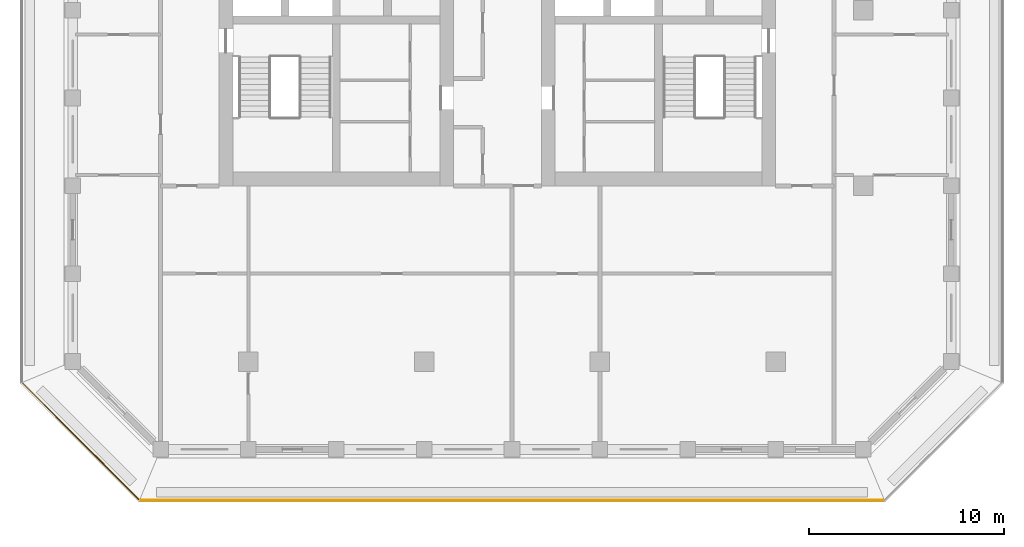
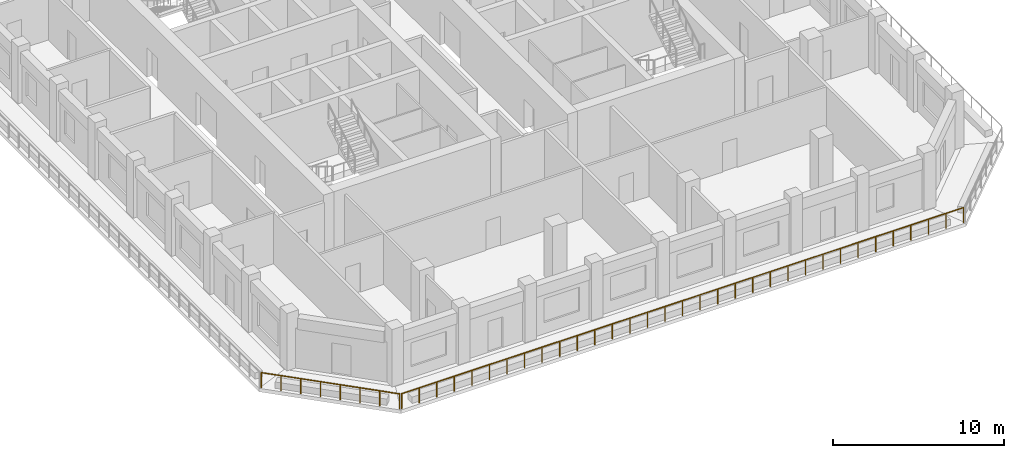
# One storey, part 9 of 17: 2 railings.
"""IFC4 building model written with IfcOpenShell, lengths in metres."""

from ifc_helpers import new_model, si_unit, direction, frame, origin, origin_2d, place, context, subcontext, project, spatial, circle, extrude, material, type_object, element, save


model = new_model("IFC4")

# Units and contexts
model_context = context("Model", 3, precision=1e-05, world=origin(), true_north=direction((0.0, 1.0)))
body_context = subcontext(model_context, "Body", "Model", "MODEL_VIEW")
ifc_project = project(units=[si_unit("LENGTHUNIT", "METRE"), si_unit("AREAUNIT", "SQUARE_METRE"), si_unit("VOLUMEUNIT", "CUBIC_METRE"), si_unit("PLANEANGLEUNIT", "RADIAN"), si_unit("MASSUNIT", "GRAM", prefix="KILO")], contexts=[model_context])

# Site, building, storey
site_placement = place(None, origin())
site = spatial("IfcSite", under=ifc_project, at=site_placement, CompositionType="ELEMENT")
building_placement = place(site_placement, origin())
building = spatial("IfcBuilding", under=site, at=building_placement, Name="Corbel Stack Research Tower", CompositionType="ELEMENT")
storey_placement = place(building_placement, frame((0.0, 0.0, 243.89990234375)))
storey = spatial("IfcBuildingStorey", under=building, at=storey_placement, Name="L55", CompositionType="ELEMENT", Elevation=243.89990234375)

# Railings
ifc_material = material(Name="Powder-coated steel guard", Category="steel")
railing_type = type_object("IfcRailingType", Name="Steel and glass guard 1100", PredefinedType="GUARDRAIL", material=ifc_material)
railing_1_placement = place(storey_placement, frame((-14.50537109375, -25.10009765625, 0.0)))
element("IfcRailing", 1, at=railing_1_placement, inside=storey, type_object=railing_type, Name="Loggia guard L55 S", PredefinedType="GUARDRAIL", context=body_context, shape_type="SweptSolid", body=[
    extrude(circle(Radius=0.02392578125, at=origin_2d()), frame((0.0, 0.0, 1.076171875), z_axis=(1.0, 0.0, 0.0), x_axis=(0.0, 1.0, 0.0)), (0.0, 0.0, 1.0), 38.0107421875),
    extrude(circle(Radius=0.02099609375, at=origin_2d()), origin(), (0.0, 0.0, 1.0), 1.052001953125),
    extrude(circle(Radius=0.02099609375, at=origin_2d()), frame((1.187744140625, 0.0, 0.0)), (0.0, 0.0, 1.0), 1.052001953125),
    extrude(circle(Radius=0.02099609375, at=origin_2d()), frame((2.375732421875, 0.0, 0.0)), (0.0, 0.0, 1.0), 1.052001953125),
    extrude(circle(Radius=0.02099609375, at=origin_2d()), frame((3.5634765625, 0.0, 0.0)), (0.0, 0.0, 1.0), 1.052001953125),
    extrude(circle(Radius=0.02099609375, at=origin_2d()), frame((4.75146484375, 0.0, 0.0)), (0.0, 0.0, 1.0), 1.052001953125),
    extrude(circle(Radius=0.02099609375, at=origin_2d()), frame((5.939208984375, 0.0, 0.0)), (0.0, 0.0, 1.0), 1.052001953125),
    extrude(circle(Radius=0.02099609375, at=origin_2d()), frame((7.126953125, 0.0, 0.0)), (0.0, 0.0, 1.0), 1.052001953125),
    extrude(circle(Radius=0.02099609375, at=origin_2d()), frame((8.31494140625, 0.0, 0.0)), (0.0, 0.0, 1.0), 1.052001953125),
    extrude(circle(Radius=0.02099609375, at=origin_2d()), frame((9.502685546875, 0.0, 0.0)), (0.0, 0.0, 1.0), 1.052001953125),
    extrude(circle(Radius=0.02099609375, at=origin_2d()), frame((10.6904296875, 0.0, 0.0)), (0.0, 0.0, 1.0), 1.052001953125),
    extrude(circle(Radius=0.02099609375, at=origin_2d()), frame((11.87841796875, 0.0, 0.0)), (0.0, 0.0, 1.0), 1.052001953125),
    extrude(circle(Radius=0.02099609375, at=origin_2d()), frame((13.066162109375, 0.0, 0.0)), (0.0, 0.0, 1.0), 1.052001953125),
    extrude(circle(Radius=0.02099609375, at=origin_2d()), frame((14.25390625, 0.0, 0.0)), (0.0, 0.0, 1.0), 1.052001953125),
    extrude(circle(Radius=0.02099609375, at=origin_2d()), frame((15.44189453125, 0.0, 0.0)), (0.0, 0.0, 1.0), 1.052001953125),
    extrude(circle(Radius=0.02099609375, at=origin_2d()), frame((16.629638671875, 0.0, 0.0)), (0.0, 0.0, 1.0), 1.052001953125),
    extrude(circle(Radius=0.02099609375, at=origin_2d()), frame((17.817626953125, 0.0, 0.0)), (0.0, 0.0, 1.0), 1.052001953125),
    extrude(circle(Radius=0.02099609375, at=origin_2d()), frame((19.00537109375, 0.0, 0.0)), (0.0, 0.0, 1.0), 1.052001953125),
    extrude(circle(Radius=0.02099609375, at=origin_2d()), frame((20.193115234375, 0.0, 0.0)), (0.0, 0.0, 1.0), 1.052001953125),
    extrude(circle(Radius=0.02099609375, at=origin_2d()), frame((21.381103515625, 0.0, 0.0)), (0.0, 0.0, 1.0), 1.052001953125),
    extrude(circle(Radius=0.02099609375, at=origin_2d()), frame((22.56884765625, 0.0, 0.0)), (0.0, 0.0, 1.0), 1.052001953125),
    extrude(circle(Radius=0.02099609375, at=origin_2d()), frame((23.7568359375, 0.0, 0.0)), (0.0, 0.0, 1.0), 1.052001953125),
    extrude(circle(Radius=0.02099609375, at=origin_2d()), frame((24.944580078125, 0.0, 0.0)), (0.0, 0.0, 1.0), 1.052001953125),
    extrude(circle(Radius=0.02099609375, at=origin_2d()), frame((26.13232421875, 0.0, 0.0)), (0.0, 0.0, 1.0), 1.052001953125),
    extrude(circle(Radius=0.02099609375, at=origin_2d()), frame((27.3203125, 0.0, 0.0)), (0.0, 0.0, 1.0), 1.052001953125),
    extrude(circle(Radius=0.02099609375, at=origin_2d()), frame((28.508056640625, 0.0, 0.0)), (0.0, 0.0, 1.0), 1.052001953125),
    extrude(circle(Radius=0.02099609375, at=origin_2d()), frame((29.69580078125, 0.0, 0.0)), (0.0, 0.0, 1.0), 1.052001953125),
    extrude(circle(Radius=0.02099609375, at=origin_2d()), frame((30.8837890625, 0.0, 0.0)), (0.0, 0.0, 1.0), 1.052001953125),
    extrude(circle(Radius=0.02099609375, at=origin_2d()), frame((32.071533203125, 0.0, 0.0)), (0.0, 0.0, 1.0), 1.052001953125),
    extrude(circle(Radius=0.02099609375, at=origin_2d()), frame((33.25927734375, 0.0, 0.0)), (0.0, 0.0, 1.0), 1.052001953125),
    extrude(circle(Radius=0.02099609375, at=origin_2d()), frame((34.447265625, 0.0, 0.0)), (0.0, 0.0, 1.0), 1.052001953125),
    extrude(circle(Radius=0.02099609375, at=origin_2d()), frame((35.635009765625, 0.0, 0.0)), (0.0, 0.0, 1.0), 1.052001953125),
    extrude(circle(Radius=0.02099609375, at=origin_2d()), frame((36.822998046875, 0.0, 0.0)), (0.0, 0.0, 1.0), 1.052001953125),
    extrude(circle(Radius=0.02099609375, at=origin_2d()), frame((38.0107421875, 0.0, 0.0)), (0.0, 0.0, 1.0), 1.052001953125),
])
railing_2_placement = place(storey_placement, frame((-20.54931640625, -19.127685546875, 0.0)))
element("IfcRailing", 2, at=railing_2_placement, inside=storey, type_object=railing_type, Name="Loggia guard L55 SW", PredefinedType="GUARDRAIL", context=body_context, shape_type="SweptSolid", body=[
    extrude(circle(Radius=0.02392578125, at=origin_2d()), frame((0.0, 0.0, 1.076171875), z_axis=(0.707106781187, -0.707106781187, 0.0), x_axis=(0.707106781187, 0.707106781187, 0.0)), (0.0, 0.0, 1.0), 8.37451171875),
    extrude(circle(Radius=0.02099609375, at=origin_2d()), origin(), (0.0, 0.0, 1.0), 1.052001953125),
    extrude(circle(Radius=0.02099609375, at=origin_2d()), frame((0.845947265625, -0.845947265625, 0.0)), (0.0, 0.0, 1.0), 1.052001953125),
    extrude(circle(Radius=0.02099609375, at=origin_2d()), frame((1.69189453125, -1.69189453125, 0.0)), (0.0, 0.0, 1.0), 1.052001953125),
    extrude(circle(Radius=0.02099609375, at=origin_2d()), frame((2.537841796875, -2.537841796875, 0.0)), (0.0, 0.0, 1.0), 1.052001953125),
    extrude(circle(Radius=0.02099609375, at=origin_2d()), frame((3.3837890625, -3.3837890625, 0.0)), (0.0, 0.0, 1.0), 1.052001953125),
    extrude(circle(Radius=0.02099609375, at=origin_2d()), frame((4.229736328125, -4.229736328125, 0.0)), (0.0, 0.0, 1.0), 1.052001953125),
    extrude(circle(Radius=0.02099609375, at=origin_2d()), frame((5.07568359375, -5.07568359375, 0.0)), (0.0, 0.0, 1.0), 1.052001953125),
    extrude(circle(Radius=0.02099609375, at=origin_2d()), frame((5.921630859375, -5.921630859375, 0.0)), (0.0, 0.0, 1.0), 1.052001953125),
])

save(model, "model.ifc")
